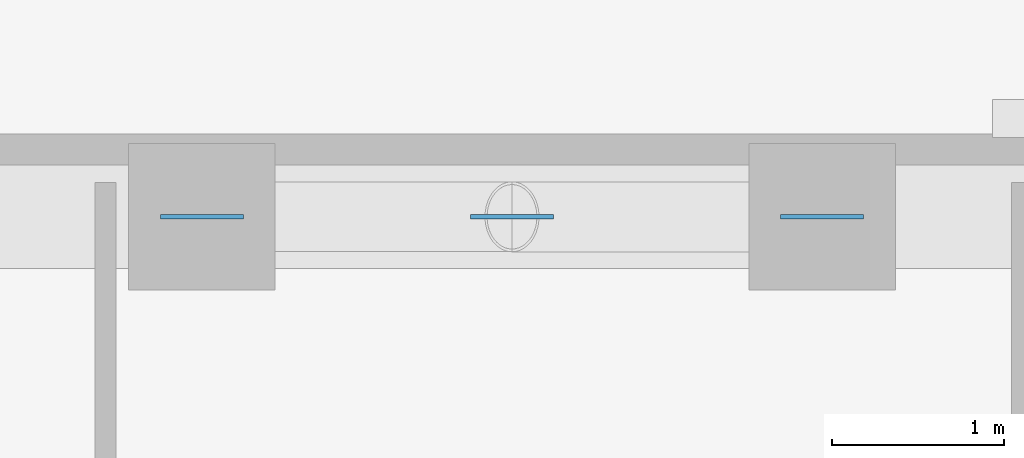
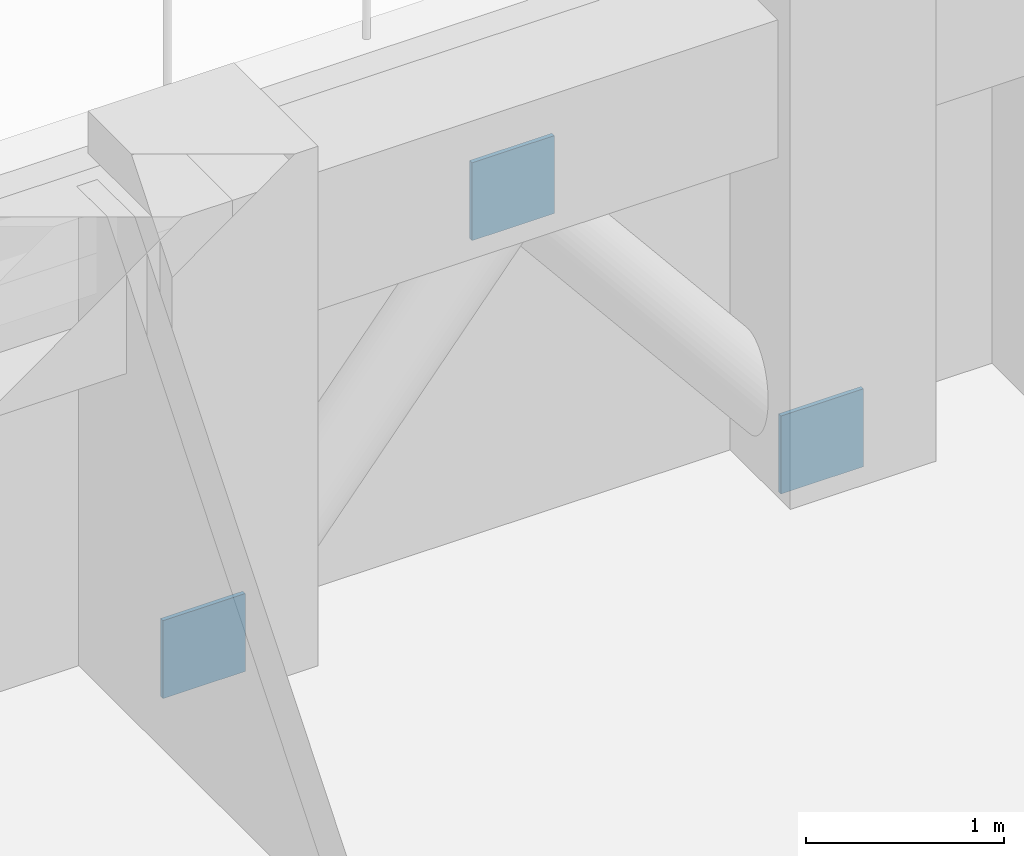
# One storey, part 14 of 16: 3 discrete accessories.
"""IFC4 building model written with IfcOpenShell, lengths in metres."""

from ifc_helpers import new_model, si_unit, derived_unit, direction, frame, origin, origin_2d, place, context, subcontext, project, spatial, rectangle, extrude, material, layer, layer_set, type_object, element, save


model = new_model("IFC4")

# Units and contexts
model_context = context("Model", 3, precision=1e-05, world=origin(), true_north=direction((0.0, 1.0)))
body_context = subcontext(model_context, "Body", "Model", "MODEL_VIEW")
ifc_project = project(units=[si_unit("LENGTHUNIT", "METRE"), si_unit("AREAUNIT", "SQUARE_METRE"), si_unit("VOLUMEUNIT", "CUBIC_METRE"), si_unit("PLANEANGLEUNIT", "RADIAN"), si_unit("MASSUNIT", "GRAM", prefix="KILO"), derived_unit("THERMALTRANSMITTANCEUNIT", [(si_unit("MASSUNIT", "GRAM", prefix="KILO"), 1), (si_unit("TIMEUNIT", "SECOND"), -3), (si_unit("THERMODYNAMICTEMPERATUREUNIT", "KELVIN"), -1)])], contexts=[model_context])

# Site, building, storey
site_placement = place(None, origin())
site = spatial("IfcSite", under=ifc_project, at=site_placement, CompositionType="ELEMENT")
building_placement = place(site_placement, origin())
building = spatial("IfcBuilding", under=site, at=building_placement, Name="Korrvale Station Residences", CompositionType="ELEMENT")
storey_placement = place(building_placement, frame((0.0, 0.0, 75.10009765625)))
storey = spatial("IfcBuildingStorey", under=building, at=storey_placement, Name="L20", CompositionType="ELEMENT", Elevation=75.10009765625)

# Discrete accessories
ifc_material = material(Name="Steel S355", Category="steel")
ifc_layer = layer(ifc_material, 0.02490234375, Name="Steel S355")
ifc_layer_set = layer_set([ifc_layer], Name="Steel S355")
discrete_accessory_type = type_object("IfcDiscreteAccessoryType", Name="ACC-GUSSET-25", PredefinedType="BRACKET", material=ifc_layer_set)
for number, where, z_axis, x_axis, name in (
    (1, (23.199951171875, 42.820068359375, -0.219970703125), (0.0, 0.0, 1.0), (1.0, 0.0, 0.0), "L20 N Brace End Gusset Connection A"),
    (2, (26.800048828125, 42.820068359375, -0.219970703125), (0.0, 0.0, 1.0), (1.0, 0.0, 0.0), "L20 N Brace End Gusset Connection B"),
    (3, (25.0, 42.820068359375, 1.969970703125), (0.0, 0.0, 1.0), (1.0, 0.0, 0.0), "L20 N Brace End Gusset Connection M"),
):
    element("IfcDiscreteAccessory", number, at=place(storey_placement, frame(where, z_axis=z_axis, x_axis=x_axis)), inside=storey, type_object=discrete_accessory_type, Name=name, PredefinedType="BRACKET", context=body_context, shape_type="SweptSolid", body=[
        extrude(rectangle(XDim=0.47998046875, YDim=0.02490234375, at=origin_2d()), origin(), (0.0, 0.0, 1.0), 0.47998046875),
    ])

save(model, "model.ifc")
